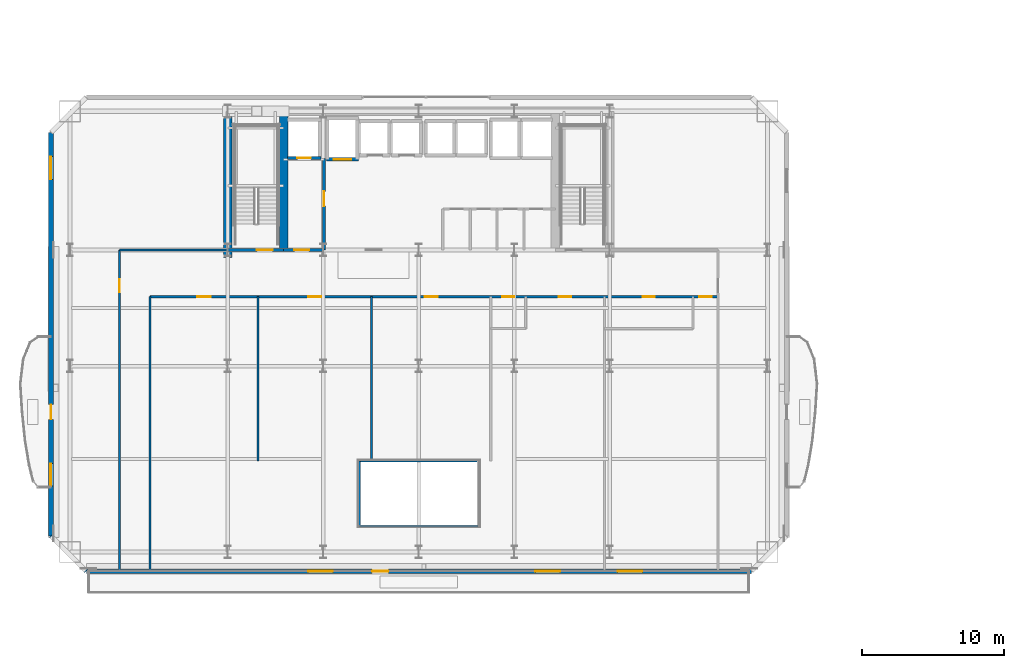
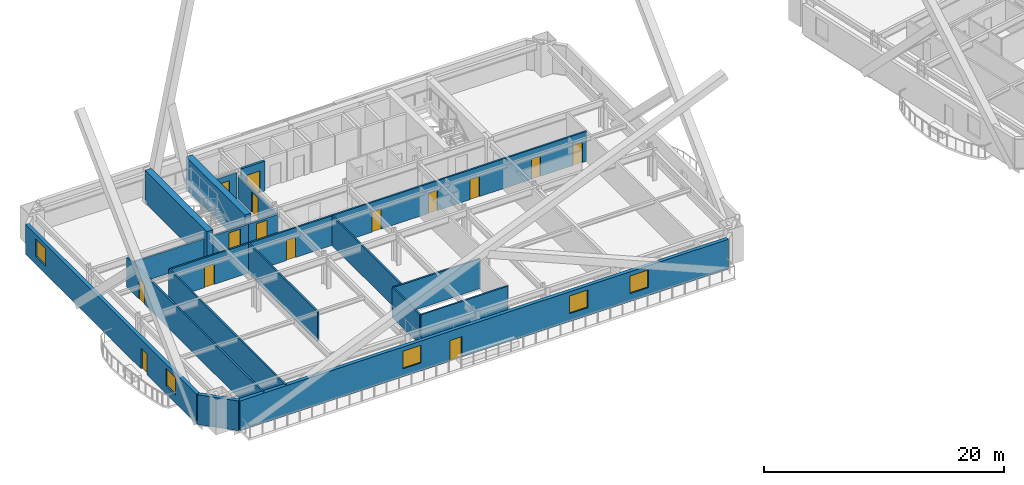
# One storey, part 11 of 25: 19 walls, 15 doors, 5 windows, 20 openings.
"""IFC4 building model written with IfcOpenShell, lengths in metres."""

from ifc_helpers import new_model, si_unit, direction, frame, frame_2d, origin, place, context, subcontext, project, spatial, rectangle, extrude, material, layer, layer_set, type_object, element, fill, save


model = new_model("IFC4")

# Units and contexts
model_context = context("Model", 3, precision=1e-05, world=origin(), true_north=direction((0.0, 1.0)))
body_context = subcontext(model_context, "Body", "Model", "MODEL_VIEW")
ifc_project = project(units=[si_unit("LENGTHUNIT", "METRE"), si_unit("AREAUNIT", "SQUARE_METRE"), si_unit("VOLUMEUNIT", "CUBIC_METRE"), si_unit("PLANEANGLEUNIT", "RADIAN"), si_unit("MASSUNIT", "GRAM", prefix="KILO")], contexts=[model_context])

# Site, building, storey
site_placement = place(None, origin())
site = spatial("IfcSite", under=ifc_project, at=site_placement, CompositionType="ELEMENT")
building_placement = place(site_placement, origin())
building = spatial("IfcBuilding", under=site, at=building_placement, Name="Haevon Station Towers", CompositionType="ELEMENT")
storey_placement = place(building_placement, frame((0.0, 0.0, 50.39990234375)))
storey = spatial("IfcBuildingStorey", under=building, at=storey_placement, Name="L12", CompositionType="ELEMENT", Elevation=50.39990234375)

# Wall, opening, door
ifc_material_1 = material(Name="Gypsum board on steel stud", Category="steel")
ifc_layer_1 = layer(ifc_material_1, 0.199951171875)
ifc_layer_set_1 = layer_set([ifc_layer_1], Name="Gypsum board on steel stud")
wall_type_1 = type_object("IfcWallType", Name="WL-COR200", PredefinedType="PARTITIONING", material=ifc_layer_set_1)
wall_1_placement = place(storey_placement, frame((24.0, 38.199951171875, 0.0), z_axis=(0.0, 0.0, 1.0), x_axis=(1.0, 0.0, 0.0)))
wall_1 = element("IfcWall", 1, at=wall_1_placement, inside=storey, type_object=wall_type_1, Name="WL-ST-ST1-L12", PredefinedType="PARTITIONING", context=body_context, shape_type="SweptSolid", body=[
    extrude(rectangle(XDim=3.949951171875, YDim=0.199951171875, at=frame_2d((1.97509765625, 0.0))), origin(), (0.0, 0.0, 1.0), 2.330078125),
])
opening_1_placement = place(wall_1_placement, frame((2.050048828125, 0.0, 0.0)))
opening_1 = element("IfcOpeningElement", 2, at=opening_1_placement, cuts=wall_1, Name="Opening DR-ST-ST1-L12", PredefinedType="OPENING", context=body_context, shape_type="SweptSolid", body=[
    extrude(rectangle(XDim=1.1201171875, YDim=2.10009765625, at=frame_2d((0.56005859375, 1.050048828125))), frame((0.0, 0.10986328125, 0.0), z_axis=(0.0, -1.0, 0.0), x_axis=(1.0, 0.0, 0.0)), (0.0, 0.0, 1.0), 0.219970703125),
])
ifc_material_2 = material(Name="Engineered oak timber", Category="wood")
door_type_1 = type_object("IfcDoorType", Name="DR-ST-1120", OperationType="NOTDEFINED", PredefinedType="DOOR", material=ifc_material_2)
door_1_placement = place(opening_1_placement, origin())
door_1 = element("IfcDoor", 3, at=door_1_placement, inside=storey, type_object=door_type_1, Name="L12 Escape Stair ST1 Fire Door", OperationType="SINGLE_SWING_RIGHT", OverallHeight=2.10009765625, OverallWidth=1.1201171875, PredefinedType="DOOR", context=body_context, shape_type="SweptSolid", body=[
    extrude(rectangle(XDim=1.1201171875, YDim=2.10009765625, at=frame_2d((0.56005859375, 1.050048828125))), frame((0.0, 0.02490234375, 0.0), z_axis=(0.0, -1.0, 0.0), x_axis=(1.0, 0.0, 0.0)), (0.0, 0.0, 1.0), 0.050048828125),
])
fill(opening_1, door_1)

wall_2_placement = place(storey_placement, frame((30.800048828125, 38.199951171875, 0.0), z_axis=(0.0, 0.0, 1.0), x_axis=(0.0, 1.0, 0.0)))
wall_2 = element("IfcWall", 4, at=wall_2_placement, inside=storey, type_object=wall_type_1, Name="WL-T1FFL-L12-E", PredefinedType="PARTITIONING", context=body_context, shape_type="SweptSolid", body=[
    extrude(rectangle(XDim=6.449951171875, YDim=0.199951171875, at=frame_2d((3.22509765625, 0.0))), origin(), (0.0, 0.0, 1.0), 2.330078125),
])
opening_2_placement = place(wall_2_placement, frame((3.10009765625, 0.0, 0.0)))
opening_2 = element("IfcOpeningElement", 5, at=opening_2_placement, cuts=wall_2, Name="Opening DR-T1FFL-L12-E", PredefinedType="OPENING", context=body_context, shape_type="SweptSolid", body=[
    extrude(rectangle(XDim=1.050048828125, YDim=2.10009765625, at=frame_2d((0.52490234375, 1.050048828125))), frame((0.0, 0.10986328125, 0.0), z_axis=(0.0, -1.0, 0.0), x_axis=(1.0, 0.0, 0.0)), (0.0, 0.0, 1.0), 0.219970703125),
])
door_type_2 = type_object("IfcDoorType", Name="DR-FD60-1050", OperationType="NOTDEFINED", PredefinedType="DOOR", material=ifc_material_2)
door_2_placement = place(opening_2_placement, origin())
door_2 = element("IfcDoor", 6, at=door_2_placement, inside=storey, type_object=door_type_2, Name="L12 Tower 1 Firefighting Lift Lobby Door E", OperationType="SINGLE_SWING_RIGHT", OverallHeight=2.10009765625, OverallWidth=1.050048828125, PredefinedType="DOOR", context=body_context, shape_type="SweptSolid", body=[
    extrude(rectangle(XDim=1.050048828125, YDim=2.10009765625, at=frame_2d((0.52490234375, 1.050048828125))), frame((0.0, 0.02490234375, 0.0), z_axis=(0.0, -1.0, 0.0), x_axis=(1.0, 0.0, 0.0)), (0.0, 0.0, 1.0), 0.050048828125),
])
fill(opening_2, door_2)

wall_3_placement = place(storey_placement, frame((27.949951171875, 38.199951171875, 0.0), z_axis=(0.0, 0.0, 1.0), x_axis=(1.0, 0.0, 0.0)))
wall_3 = element("IfcWall", 7, at=wall_3_placement, inside=storey, type_object=wall_type_1, Name="WL-T1FFL-L12-S", PredefinedType="PARTITIONING", context=body_context, shape_type="SweptSolid", body=[
    extrude(rectangle(XDim=2.85009765625, YDim=0.199951171875, at=frame_2d((1.425048828125, 0.0))), origin(), (0.0, 0.0, 1.0), 2.330078125),
])
opening_3_placement = place(wall_3_placement, frame((0.75, 0.0, 0.0)))
opening_3 = element("IfcOpeningElement", 8, at=opening_3_placement, cuts=wall_3, Name="Opening DR-T1FFL-L12-S", PredefinedType="OPENING", context=body_context, shape_type="SweptSolid", body=[
    extrude(rectangle(XDim=1.050048828125, YDim=2.10009765625, at=frame_2d((0.52490234375, 1.050048828125))), frame((0.0, 0.10986328125, 0.0), z_axis=(0.0, -1.0, 0.0), x_axis=(1.0, 0.0, 0.0)), (0.0, 0.0, 1.0), 0.219970703125),
])
door_3_placement = place(opening_3_placement, origin())
door_3 = element("IfcDoor", 9, at=door_3_placement, inside=storey, type_object=door_type_2, Name="L12 Tower 1 Firefighting Lift Lobby Door S", OperationType="SINGLE_SWING_LEFT", OverallHeight=2.10009765625, OverallWidth=1.050048828125, PredefinedType="DOOR", context=body_context, shape_type="SweptSolid", body=[
    extrude(rectangle(XDim=1.050048828125, YDim=2.10009765625, at=frame_2d((0.52490234375, 1.050048828125))), frame((0.0, 0.02490234375, 0.0), z_axis=(0.0, -1.0, 0.0), x_axis=(1.0, 0.0, 0.0)), (0.0, 0.0, 1.0), 0.050048828125),
])
fill(opening_3, door_3)

# Walls
ifc_material_3 = material(Name="Concrete C60/75", Category="concrete")
ifc_layer_2 = layer(ifc_material_3, 0.60009765625)
ifc_layer_set_2 = layer_set([ifc_layer_2], Name="Concrete C60/75")
wall_type_2 = type_object("IfcWallType", Name="WL-CR600", PredefinedType="SHEAR", material=ifc_layer_set_2)
wall_4_placement = place(storey_placement, frame((24.0, 37.679931640625, 0.0), z_axis=(0.0, 0.0, 1.0), x_axis=(0.0, 1.0, 0.0)))
element("IfcWall", 10, at=wall_4_placement, inside=storey, type_object=wall_type_2, Name="WL-T1CR-L12-W", PredefinedType="SHEAR", context=body_context, shape_type="SweptSolid", body=[
    extrude(rectangle(XDim=10.320068359375, YDim=0.60009765625, at=frame_2d((5.16015625, 0.0))), origin(), (0.0, 0.0, 1.0), 3.300048828125),
])
wall_5_placement = place(storey_placement, frame((27.949951171875, 38.199951171875, 0.0), z_axis=(0.0, 0.0, 1.0), x_axis=(0.0, 1.0, 0.0)))
element("IfcWall", 11, at=wall_5_placement, inside=storey, type_object=wall_type_2, Name="WL-T1CR-L12-M1", PredefinedType="SHEAR", context=body_context, shape_type="SweptSolid", body=[
    extrude(rectangle(XDim=9.800048828125, YDim=0.60009765625, at=frame_2d((4.89990234375, 0.0))), origin(), (0.0, 0.0, 1.0), 3.300048828125),
])

# Wall, openings, door, windows
ifc_material_4 = material(Name="Precast concrete C45/55", Category="concrete")
ifc_layer_3 = layer(ifc_material_4, 0.340087890625)
ifc_layer_set_3 = layer_set([ifc_layer_3], Name="Precast concrete C45/55")
wall_type_3 = type_object("IfcWallType", Name="WL-EXT-PIER340", PredefinedType="SOLIDWALL", material=ifc_layer_set_3)
wall_6_placement = place(storey_placement, frame((61.0, 15.5, 0.0), z_axis=(0.0, 0.0, 1.0), x_axis=(-1.0, 0.0, 0.0)))
wall_6 = element("IfcWall", 12, at=wall_6_placement, inside=storey, type_object=wall_type_3, Name="WL-T1-L12-S", PredefinedType="SOLIDWALL", context=body_context, shape_type="SweptSolid", body=[
    extrude(rectangle(XDim=47.0, YDim=0.340087890625, at=frame_2d((23.5, 0.0))), origin(), (0.0, 0.0, 1.0), 3.030029296875),
])
opening_4_placement = place(wall_6_placement, frame((25.65380859375, 0.0, 0.0)))
opening_4 = element("IfcOpeningElement", 13, at=opening_4_placement, cuts=wall_6, Name="Opening DR-T1-SKYG-L12", PredefinedType="OPENING", context=body_context, shape_type="SweptSolid", body=[
    extrude(rectangle(XDim=1.14990234375, YDim=2.10009765625, at=frame_2d((0.574951171875, 1.050048828125))), frame((0.0, 0.179931640625, 0.0), z_axis=(0.0, -1.0, 0.0), x_axis=(1.0, 0.0, 0.0)), (0.0, 0.0, 1.0), 0.360107421875),
])
opening_5_placement = place(wall_6_placement, frame((29.580078125, 0.0, 0.800048828125)))
opening_5 = element("IfcOpeningElement", 14, at=opening_5_placement, cuts=wall_6, Name="Opening WN-P175", PredefinedType="OPENING", context=body_context, shape_type="SweptSolid", body=[
    extrude(rectangle(XDim=1.75, YDim=1.800048828125, at=frame_2d((0.875, 0.89990234375))), frame((0.0, 0.179931640625, 0.0), z_axis=(0.0, -1.0, 0.0), x_axis=(1.0, 0.0, 0.0)), (0.0, 0.0, 1.0), 0.360107421875),
])
opening_6_placement = place(wall_6_placement, frame((13.52001953125, 0.0, 0.800048828125)))
opening_6 = element("IfcOpeningElement", 15, at=opening_6_placement, cuts=wall_6, Name="Opening WN-P175", PredefinedType="OPENING", context=body_context, shape_type="SweptSolid", body=[
    extrude(rectangle(XDim=1.75, YDim=1.800048828125, at=frame_2d((0.875, 0.89990234375))), frame((0.0, 0.179931640625, 0.0), z_axis=(0.0, -1.0, 0.0), x_axis=(1.0, 0.0, 0.0)), (0.0, 0.0, 1.0), 0.360107421875),
])
opening_7_placement = place(wall_6_placement, frame((7.697998046875, 0.0, 0.800048828125)))
opening_7 = element("IfcOpeningElement", 16, at=opening_7_placement, cuts=wall_6, Name="Opening WN-P175", PredefinedType="OPENING", context=body_context, shape_type="SweptSolid", body=[
    extrude(rectangle(XDim=1.75, YDim=1.800048828125, at=frame_2d((0.875, 0.89990234375))), frame((0.0, 0.179931640625, 0.0), z_axis=(0.0, -1.0, 0.0), x_axis=(1.0, 0.0, 0.0)), (0.0, 0.0, 1.0), 0.360107421875),
])
ifc_material_5 = material(Name="Thermally broken anodised aluminium and laminated safety glass", Category="aluminium")
door_type_3 = type_object("IfcDoorType", Name="DR-BALC-1150", OperationType="NOTDEFINED", PredefinedType="DOOR", material=ifc_material_5)
door_4_placement = place(opening_4_placement, origin())
door_4 = element("IfcDoor", 17, at=door_4_placement, inside=storey, type_object=door_type_3, Name="Tower 1 L12 Sky Garden Terrace Door", OperationType="SINGLE_SWING_LEFT", OverallHeight=2.10009765625, OverallWidth=1.14990234375, PredefinedType="DOOR", context=body_context, shape_type="SweptSolid", body=[
    extrude(rectangle(XDim=1.14990234375, YDim=2.10009765625, at=frame_2d((0.574951171875, 1.050048828125))), frame((0.0, 0.02490234375, 0.0), z_axis=(0.0, -1.0, 0.0), x_axis=(1.0, 0.0, 0.0)), (0.0, 0.0, 1.0), 0.050048828125),
])
fill(opening_4, door_4)
ifc_material_6 = material(Name="Low-E triple glazing in thermally broken aluminium", Category="aluminium")
window_type_1 = type_object("IfcWindowType", Name="WN-P175", PartitioningType="SINGLE_PANEL", PredefinedType="WINDOW", material=ifc_material_6)
window_1_placement = place(opening_5_placement, origin())
window_1 = element("IfcWindow", 18, at=window_1_placement, inside=storey, type_object=window_type_1, Name="WN-T1-L12-S01", OverallHeight=1.800048828125, OverallWidth=1.75, PartitioningType="SINGLE_PANEL", PredefinedType="WINDOW", context=body_context, shape_type="SweptSolid", body=[
    extrude(rectangle(XDim=1.75, YDim=1.800048828125, at=frame_2d((0.875, 0.89990234375))), frame((0.0, 0.030029296875, 0.0), z_axis=(0.0, -1.0, 0.0), x_axis=(1.0, 0.0, 0.0)), (0.0, 0.0, 1.0), 0.06005859375),
])
fill(opening_5, window_1)
window_2_placement = place(opening_6_placement, origin())
window_2 = element("IfcWindow", 19, at=window_2_placement, inside=storey, type_object=window_type_1, Name="WN-T1-L12-S02", OverallHeight=1.800048828125, OverallWidth=1.75, PartitioningType="SINGLE_PANEL", PredefinedType="WINDOW", context=body_context, shape_type="SweptSolid", body=[
    extrude(rectangle(XDim=1.75, YDim=1.800048828125, at=frame_2d((0.875, 0.89990234375))), frame((0.0, 0.030029296875, 0.0), z_axis=(0.0, -1.0, 0.0), x_axis=(1.0, 0.0, 0.0)), (0.0, 0.0, 1.0), 0.06005859375),
])
fill(opening_6, window_2)
window_3_placement = place(opening_7_placement, origin())
window_3 = element("IfcWindow", 20, at=window_3_placement, inside=storey, type_object=window_type_1, Name="WN-T1-L12-S03", OverallHeight=1.800048828125, OverallWidth=1.75, PartitioningType="SINGLE_PANEL", PredefinedType="WINDOW", context=body_context, shape_type="SweptSolid", body=[
    extrude(rectangle(XDim=1.75, YDim=1.800048828125, at=frame_2d((0.875, 0.89990234375))), frame((0.0, 0.030029296875, 0.0), z_axis=(0.0, -1.0, 0.0), x_axis=(1.0, 0.0, 0.0)), (0.0, 0.0, 1.0), 0.06005859375),
])
fill(opening_7, window_3)

# Wall
wall_7_placement = place(storey_placement, frame((14.0, 15.5, 0.0), z_axis=(0.0, 0.0, 1.0), x_axis=(-0.707106781187, 0.707106781187, 0.0)))
element("IfcWall", 21, at=wall_7_placement, inside=storey, type_object=wall_type_3, Name="WL-T1-L12-SWC", PredefinedType="SOLIDWALL", context=body_context, shape_type="SweptSolid", body=[
    extrude(rectangle(XDim=3.53564453125, YDim=0.340087890625, at=frame_2d((1.767822265625, 0.0))), origin(), (0.0, 0.0, 1.0), 3.030029296875),
])

# Wall, openings, door, windows
wall_8_placement = place(storey_placement, frame((11.5, 18.0, 0.0), z_axis=(0.0, 0.0, 1.0), x_axis=(0.0, 1.0, 0.0)))
wall_8 = element("IfcWall", 22, at=wall_8_placement, inside=storey, type_object=wall_type_3, Name="WL-T1-L12-W", PredefinedType="SOLIDWALL", context=body_context, shape_type="SweptSolid", body=[
    extrude(rectangle(XDim=28.5, YDim=0.340087890625, at=frame_2d((14.25, 0.0))), origin(), (0.0, 0.0, 1.0), 3.030029296875),
])
opening_8_placement = place(wall_8_placement, frame((8.22509765625, 0.0, 0.0)))
opening_8 = element("IfcOpeningElement", 23, at=opening_8_placement, cuts=wall_8, Name="Opening DR-T1-SCAL-L12-W", PredefinedType="OPENING", context=body_context, shape_type="SweptSolid", body=[
    extrude(rectangle(XDim=1.050048828125, YDim=2.10009765625, at=frame_2d((0.52490234375, 1.050048828125))), frame((0.0, 0.179931640625, 0.0), z_axis=(0.0, -1.0, 0.0), x_axis=(1.0, 0.0, 0.0)), (0.0, 0.0, 1.0), 0.360107421875),
])
opening_9_placement = place(wall_8_placement, frame((3.5107421875, 0.0, 0.800048828125)))
opening_9 = element("IfcOpeningElement", 24, at=opening_9_placement, cuts=wall_8, Name="Opening WN-END160", PredefinedType="OPENING", context=body_context, shape_type="SweptSolid", body=[
    extrude(rectangle(XDim=1.60009765625, YDim=1.800048828125, at=frame_2d((0.800048828125, 0.89990234375))), frame((0.0, 0.179931640625, 0.0), z_axis=(0.0, -1.0, 0.0), x_axis=(1.0, 0.0, 0.0)), (0.0, 0.0, 1.0), 0.360107421875),
])
opening_10_placement = place(wall_8_placement, frame((25.1962890625, 0.0, 0.800048828125)))
opening_10 = element("IfcOpeningElement", 25, at=opening_10_placement, cuts=wall_8, Name="Opening WN-END160", PredefinedType="OPENING", context=body_context, shape_type="SweptSolid", body=[
    extrude(rectangle(XDim=1.60009765625, YDim=1.800048828125, at=frame_2d((0.800048828125, 0.89990234375))), frame((0.0, 0.179931640625, 0.0), z_axis=(0.0, -1.0, 0.0), x_axis=(1.0, 0.0, 0.0)), (0.0, 0.0, 1.0), 0.360107421875),
])
door_type_4 = type_object("IfcDoorType", Name="DR-BALC-1050", OperationType="NOTDEFINED", PredefinedType="DOOR", material=ifc_material_5)
door_5_placement = place(opening_8_placement, origin())
door_5 = element("IfcDoor", 26, at=door_5_placement, inside=storey, type_object=door_type_4, Name="Tower 1 L12 West Scalloped Balcony Door", OperationType="SINGLE_SWING_RIGHT", OverallHeight=2.10009765625, OverallWidth=1.050048828125, PredefinedType="DOOR", context=body_context, shape_type="SweptSolid", body=[
    extrude(rectangle(XDim=1.050048828125, YDim=2.10009765625, at=frame_2d((0.52490234375, 1.050048828125))), frame((0.0, 0.02490234375, 0.0), z_axis=(0.0, -1.0, 0.0), x_axis=(1.0, 0.0, 0.0)), (0.0, 0.0, 1.0), 0.050048828125),
])
fill(opening_8, door_5)
window_type_2 = type_object("IfcWindowType", Name="WN-END160", PartitioningType="SINGLE_PANEL", PredefinedType="WINDOW", material=ifc_material_6)
window_4_placement = place(opening_9_placement, origin())
window_4 = element("IfcWindow", 27, at=window_4_placement, inside=storey, type_object=window_type_2, Name="WN-T1-L12-W01", OverallHeight=1.800048828125, OverallWidth=1.60009765625, PartitioningType="SINGLE_PANEL", PredefinedType="WINDOW", context=body_context, shape_type="SweptSolid", body=[
    extrude(rectangle(XDim=1.60009765625, YDim=1.800048828125, at=frame_2d((0.800048828125, 0.89990234375))), frame((0.0, 0.030029296875, 0.0), z_axis=(0.0, -1.0, 0.0), x_axis=(1.0, 0.0, 0.0)), (0.0, 0.0, 1.0), 0.06005859375),
])
fill(opening_9, window_4)
window_5_placement = place(opening_10_placement, origin())
window_5 = element("IfcWindow", 28, at=window_5_placement, inside=storey, type_object=window_type_2, Name="WN-T1-L12-W02", OverallHeight=1.800048828125, OverallWidth=1.60009765625, PartitioningType="SINGLE_PANEL", PredefinedType="WINDOW", context=body_context, shape_type="SweptSolid", body=[
    extrude(rectangle(XDim=1.60009765625, YDim=1.800048828125, at=frame_2d((0.800048828125, 0.89990234375))), frame((0.0, 0.030029296875, 0.0), z_axis=(0.0, -1.0, 0.0), x_axis=(1.0, 0.0, 0.0)), (0.0, 0.0, 1.0), 0.06005859375),
])
fill(opening_10, window_5)

# Walls
ifc_layer_4 = layer(ifc_material_1, 0.159912109375)
ifc_layer_set_4 = layer_set([ifc_layer_4], Name="Gypsum board on steel stud")
wall_type_4 = type_object("IfcWallType", Name="WL-PRT160", PredefinedType="PARTITIONING", material=ifc_layer_set_4)
wall_9_placement = place(storey_placement, frame((18.5, 15.5, 0.0), z_axis=(0.0, 0.0, 1.0), x_axis=(0.0, 1.0, 0.0)))
element("IfcWall", 29, at=wall_9_placement, inside=storey, type_object=wall_type_4, Name="WL-T1PT-L12-01", PredefinedType="PARTITIONING", context=body_context, shape_type="SweptSolid", body=[
    extrude(rectangle(XDim=19.39990234375, YDim=0.159912109375, at=frame_2d((9.699951171875, 0.0))), origin(), (0.0, 0.0, 1.0), 3.030029296875),
])
wall_10_placement = place(storey_placement, frame((16.35009765625, 38.199951171875, 0.0), z_axis=(0.0, 0.0, 1.0), x_axis=(1.0, 0.0, 0.0)))
element("IfcWall", 30, at=wall_10_placement, inside=storey, type_object=wall_type_4, Name="WL-T1PT-L12-02", PredefinedType="PARTITIONING", context=body_context, shape_type="SweptSolid", body=[
    extrude(rectangle(XDim=7.64990234375, YDim=0.159912109375, at=frame_2d((3.824951171875, 0.0))), origin(), (0.0, 0.0, 1.0), 2.330078125),
])

# Wall, opening, door
wall_11_placement = place(storey_placement, frame((16.35009765625, 15.5, 0.0), z_axis=(0.0, 0.0, 1.0), x_axis=(0.0, 1.0, 0.0)))
wall_11 = element("IfcWall", 31, at=wall_11_placement, inside=storey, type_object=wall_type_4, Name="WL-T1PT-L12-04", PredefinedType="PARTITIONING", context=body_context, shape_type="SweptSolid", body=[
    extrude(rectangle(XDim=22.699951171875, YDim=0.159912109375, at=frame_2d((11.35009765625, 0.0))), origin(), (0.0, 0.0, 1.0), 3.030029296875),
])
opening_11_placement = place(wall_11_placement, frame((19.719970703125, 0.0, 0.0)))
opening_11 = element("IfcOpeningElement", 32, at=opening_11_placement, cuts=wall_11, Name="Opening DR-WL-T1PT-L12-04-01", PredefinedType="OPENING", context=body_context, shape_type="SweptSolid", body=[
    extrude(rectangle(XDim=0.89990234375, YDim=2.050048828125, at=frame_2d((0.449951171875, 1.02490234375))), frame((0.0, 0.08984375, 0.0), z_axis=(0.0, -1.0, 0.0), x_axis=(1.0, 0.0, 0.0)), (0.0, 0.0, 1.0), 0.179931640625),
])
door_type_5 = type_object("IfcDoorType", Name="DR-INT-900", OperationType="NOTDEFINED", PredefinedType="DOOR", material=ifc_material_2)
door_6_placement = place(opening_11_placement, origin())
door_6 = element("IfcDoor", 33, at=door_6_placement, inside=storey, type_object=door_type_5, Name="L12 Tower 1 Room Door 4-1", OperationType="SINGLE_SWING_RIGHT", OverallHeight=2.050048828125, OverallWidth=0.89990234375, PredefinedType="DOOR", context=body_context, shape_type="SweptSolid", body=[
    extrude(rectangle(XDim=0.89990234375, YDim=2.050048828125, at=frame_2d((0.449951171875, 1.02490234375))), frame((0.0, 0.02490234375, 0.0), z_axis=(0.0, -1.0, 0.0), x_axis=(1.0, 0.0, 0.0)), (0.0, 0.0, 1.0), 0.050048828125),
])
fill(opening_11, door_6)

# Walls
for number, where, z_axis, x_axis, name in (
    (34, (33.300048828125, 18.699951171875, 0.0), (0.0, 0.0, 1.0), (1.0, 0.0, 0.0), "WL-T1PT-L12-06"),
    (35, (33.300048828125, 23.300048828125, 0.0), (0.0, 0.0, 1.0), (1.0, 0.0, 0.0), "WL-T1PT-L12-07"),
):
    element("IfcWall", number, at=place(storey_placement, frame(where, z_axis=z_axis, x_axis=x_axis)), inside=storey, type_object=wall_type_4, Name=name, PredefinedType="PARTITIONING", context=body_context, shape_type="SweptSolid", body=[
        extrude(rectangle(XDim=8.39990234375, YDim=0.159912109375, at=frame_2d((4.199951171875, 0.0))), origin(), (0.0, 0.0, 1.0), 3.030029296875),
    ])
wall_12_placement = place(storey_placement, frame((33.300048828125, 18.699951171875, 0.0), z_axis=(0.0, 0.0, 1.0), x_axis=(0.0, 1.0, 0.0)))
element("IfcWall", 36, at=wall_12_placement, inside=storey, type_object=wall_type_4, Name="WL-T1PT-L12-08", PredefinedType="PARTITIONING", context=body_context, shape_type="SweptSolid", body=[
    extrude(rectangle(XDim=4.60009765625, YDim=0.159912109375, at=frame_2d((2.300048828125, 0.0))), origin(), (0.0, 0.0, 1.0), 3.030029296875),
])
for number, where, z_axis, x_axis, name in (
    (37, (26.12841796875, 23.300048828125, 0.0), (0.0, 0.0, 1.0), (0.0, 1.0, 0.0), "WL-T1PT-L12-10"),
    (38, (34.158447265625, 23.300048828125, 0.0), (0.0, 0.0, 1.0), (0.0, 1.0, 0.0), "WL-T1PT-L12-11"),
):
    element("IfcWall", number, at=place(storey_placement, frame(where, z_axis=z_axis, x_axis=x_axis)), inside=storey, type_object=wall_type_4, Name=name, PredefinedType="PARTITIONING", context=body_context, shape_type="SweptSolid", body=[
        extrude(rectangle(XDim=11.599853515625, YDim=0.159912109375, at=frame_2d((5.7998046875, 0.0))), origin(), (0.0, 0.0, 1.0), 3.030029296875),
    ])

# Wall, openings, doors
wall_13_placement = place(storey_placement, frame((18.5, 34.89990234375, 0.0), z_axis=(0.0, 0.0, 1.0), x_axis=(1.0, 0.0, 0.0)))
wall_13 = element("IfcWall", 39, at=wall_13_placement, inside=storey, type_object=wall_type_4, Name="WL-T1PT-L12-20", PredefinedType="PARTITIONING", context=body_context, shape_type="SweptSolid", body=[
    extrude(rectangle(XDim=40.14990234375, YDim=0.159912109375, at=frame_2d((20.074951171875, 0.0))), origin(), (0.0, 0.0, 1.0), 3.030029296875),
])
opening_12_placement = place(wall_13_placement, frame((3.339111328125, 0.0, 0.0)))
opening_12 = element("IfcOpeningElement", 40, at=opening_12_placement, cuts=wall_13, Name="Opening DR-WL-T1PT-L12-20-01", PredefinedType="OPENING", context=body_context, shape_type="SweptSolid", body=[
    extrude(rectangle(XDim=0.949951171875, YDim=2.10009765625, at=frame_2d((0.47509765625, 1.050048828125))), frame((0.0, 0.08984375, 0.0), z_axis=(0.0, -1.0, 0.0), x_axis=(1.0, 0.0, 0.0)), (0.0, 0.0, 1.0), 0.179931640625),
])
opening_13_placement = place(wall_13_placement, frame((11.193115234375, 0.0, 0.0)))
opening_13 = element("IfcOpeningElement", 41, at=opening_13_placement, cuts=wall_13, Name="Opening DR-WL-T1PT-L12-20-02", PredefinedType="OPENING", context=body_context, shape_type="SweptSolid", body=[
    extrude(rectangle(XDim=0.89990234375, YDim=2.050048828125, at=frame_2d((0.449951171875, 1.02490234375))), frame((0.0, 0.08984375, 0.0), z_axis=(0.0, -1.0, 0.0), x_axis=(1.0, 0.0, 0.0)), (0.0, 0.0, 1.0), 0.179931640625),
])
opening_14_placement = place(wall_13_placement, frame((19.424072265625, 0.0, 0.0)))
opening_14 = element("IfcOpeningElement", 42, at=opening_14_placement, cuts=wall_13, Name="Opening DR-WL-T1PT-L12-20-03", PredefinedType="OPENING", context=body_context, shape_type="SweptSolid", body=[
    extrude(rectangle(XDim=0.89990234375, YDim=2.050048828125, at=frame_2d((0.449951171875, 1.02490234375))), frame((0.0, 0.08984375, 0.0), z_axis=(0.0, -1.0, 0.0), x_axis=(1.0, 0.0, 0.0)), (0.0, 0.0, 1.0), 0.179931640625),
])
opening_15_placement = place(wall_13_placement, frame((24.889892578125, 0.0, 0.0)))
opening_15 = element("IfcOpeningElement", 43, at=opening_15_placement, cuts=wall_13, Name="Opening DR-WL-T1PT-L12-20-04", PredefinedType="OPENING", context=body_context, shape_type="SweptSolid", body=[
    extrude(rectangle(XDim=0.85009765625, YDim=2.050048828125, at=frame_2d((0.425048828125, 1.02490234375))), frame((0.0, 0.08984375, 0.0), z_axis=(0.0, -1.0, 0.0), x_axis=(1.0, 0.0, 0.0)), (0.0, 0.0, 1.0), 0.179931640625),
])
opening_16_placement = place(wall_13_placement, frame((28.8798828125, 0.0, 0.0)))
opening_16 = element("IfcOpeningElement", 44, at=opening_16_placement, cuts=wall_13, Name="Opening DR-WL-T1PT-L12-20-05", PredefinedType="OPENING", context=body_context, shape_type="SweptSolid", body=[
    extrude(rectangle(XDim=0.89990234375, YDim=2.050048828125, at=frame_2d((0.449951171875, 1.02490234375))), frame((0.0, 0.08984375, 0.0), z_axis=(0.0, -1.0, 0.0), x_axis=(1.0, 0.0, 0.0)), (0.0, 0.0, 1.0), 0.179931640625),
])
opening_17_placement = place(wall_13_placement, frame((34.820068359375, 0.0, 0.0)))
opening_17 = element("IfcOpeningElement", 45, at=opening_17_placement, cuts=wall_13, Name="Opening DR-WL-T1PT-L12-20-06", PredefinedType="OPENING", context=body_context, shape_type="SweptSolid", body=[
    extrude(rectangle(XDim=0.85009765625, YDim=2.050048828125, at=frame_2d((0.425048828125, 1.02490234375))), frame((0.0, 0.08984375, 0.0), z_axis=(0.0, -1.0, 0.0), x_axis=(1.0, 0.0, 0.0)), (0.0, 0.0, 1.0), 0.179931640625),
])
opening_18_placement = place(wall_13_placement, frame((38.81005859375, 0.0, 0.0)))
opening_18 = element("IfcOpeningElement", 46, at=opening_18_placement, cuts=wall_13, Name="Opening DR-WL-T1PT-L12-20-07", PredefinedType="OPENING", context=body_context, shape_type="SweptSolid", body=[
    extrude(rectangle(XDim=0.89990234375, YDim=2.050048828125, at=frame_2d((0.449951171875, 1.02490234375))), frame((0.0, 0.08984375, 0.0), z_axis=(0.0, -1.0, 0.0), x_axis=(1.0, 0.0, 0.0)), (0.0, 0.0, 1.0), 0.179931640625),
])
door_type_6 = type_object("IfcDoorType", Name="DR-FD30-850", OperationType="NOTDEFINED", PredefinedType="DOOR", material=ifc_material_2)
door_7_placement = place(opening_15_placement, origin())
door_7 = element("IfcDoor", 47, at=door_7_placement, inside=storey, type_object=door_type_6, Name="L12 Tower 1 Room Door 20-4", OperationType="SINGLE_SWING_LEFT", OverallHeight=2.050048828125, OverallWidth=0.85009765625, PredefinedType="DOOR", context=body_context, shape_type="SweptSolid", body=[
    extrude(rectangle(XDim=0.85009765625, YDim=2.050048828125, at=frame_2d((0.425048828125, 1.02490234375))), frame((0.0, 0.02490234375, 0.0), z_axis=(0.0, -1.0, 0.0), x_axis=(1.0, 0.0, 0.0)), (0.0, 0.0, 1.0), 0.050048828125),
])
fill(opening_15, door_7)
door_8_placement = place(opening_17_placement, origin())
door_8 = element("IfcDoor", 48, at=door_8_placement, inside=storey, type_object=door_type_6, Name="L12 Tower 1 Room Door 20-6", OperationType="SINGLE_SWING_LEFT", OverallHeight=2.050048828125, OverallWidth=0.85009765625, PredefinedType="DOOR", context=body_context, shape_type="SweptSolid", body=[
    extrude(rectangle(XDim=0.85009765625, YDim=2.050048828125, at=frame_2d((0.425048828125, 1.02490234375))), frame((0.0, 0.02490234375, 0.0), z_axis=(0.0, -1.0, 0.0), x_axis=(1.0, 0.0, 0.0)), (0.0, 0.0, 1.0), 0.050048828125),
])
fill(opening_17, door_8)
door_type_7 = type_object("IfcDoorType", Name="DR-FD30-950", OperationType="NOTDEFINED", PredefinedType="DOOR", material=ifc_material_2)
door_9_placement = place(opening_12_placement, origin())
door_9 = element("IfcDoor", 49, at=door_9_placement, inside=storey, type_object=door_type_7, Name="L12 Tower 1 Room Door 20-1", OperationType="SINGLE_SWING_RIGHT", OverallHeight=2.10009765625, OverallWidth=0.949951171875, PredefinedType="DOOR", context=body_context, shape_type="SweptSolid", body=[
    extrude(rectangle(XDim=0.949951171875, YDim=2.10009765625, at=frame_2d((0.47509765625, 1.050048828125))), frame((0.0, 0.02490234375, 0.0), z_axis=(0.0, -1.0, 0.0), x_axis=(1.0, 0.0, 0.0)), (0.0, 0.0, 1.0), 0.050048828125),
])
fill(opening_12, door_9)
door_10_placement = place(opening_13_placement, origin())
door_10 = element("IfcDoor", 50, at=door_10_placement, inside=storey, type_object=door_type_5, Name="L12 Tower 1 Room Door 20-2", OperationType="SINGLE_SWING_LEFT", OverallHeight=2.050048828125, OverallWidth=0.89990234375, PredefinedType="DOOR", context=body_context, shape_type="SweptSolid", body=[
    extrude(rectangle(XDim=0.89990234375, YDim=2.050048828125, at=frame_2d((0.449951171875, 1.02490234375))), frame((0.0, 0.02490234375, 0.0), z_axis=(0.0, -1.0, 0.0), x_axis=(1.0, 0.0, 0.0)), (0.0, 0.0, 1.0), 0.050048828125),
])
fill(opening_13, door_10)
door_11_placement = place(opening_14_placement, origin())
door_11 = element("IfcDoor", 51, at=door_11_placement, inside=storey, type_object=door_type_5, Name="L12 Tower 1 Room Door 20-3", OperationType="SINGLE_SWING_RIGHT", OverallHeight=2.050048828125, OverallWidth=0.89990234375, PredefinedType="DOOR", context=body_context, shape_type="SweptSolid", body=[
    extrude(rectangle(XDim=0.89990234375, YDim=2.050048828125, at=frame_2d((0.449951171875, 1.02490234375))), frame((0.0, 0.02490234375, 0.0), z_axis=(0.0, -1.0, 0.0), x_axis=(1.0, 0.0, 0.0)), (0.0, 0.0, 1.0), 0.050048828125),
])
fill(opening_14, door_11)
door_12_placement = place(opening_16_placement, origin())
door_12 = element("IfcDoor", 52, at=door_12_placement, inside=storey, type_object=door_type_5, Name="L12 Tower 1 Room Door 20-5", OperationType="SINGLE_SWING_RIGHT", OverallHeight=2.050048828125, OverallWidth=0.89990234375, PredefinedType="DOOR", context=body_context, shape_type="SweptSolid", body=[
    extrude(rectangle(XDim=0.89990234375, YDim=2.050048828125, at=frame_2d((0.449951171875, 1.02490234375))), frame((0.0, 0.02490234375, 0.0), z_axis=(0.0, -1.0, 0.0), x_axis=(1.0, 0.0, 0.0)), (0.0, 0.0, 1.0), 0.050048828125),
])
fill(opening_16, door_12)
door_13_placement = place(opening_18_placement, origin())
door_13 = element("IfcDoor", 53, at=door_13_placement, inside=storey, type_object=door_type_5, Name="L12 Tower 1 Room Door 20-7", OperationType="SINGLE_SWING_RIGHT", OverallHeight=2.050048828125, OverallWidth=0.89990234375, PredefinedType="DOOR", context=body_context, shape_type="SweptSolid", body=[
    extrude(rectangle(XDim=0.89990234375, YDim=2.050048828125, at=frame_2d((0.449951171875, 1.02490234375))), frame((0.0, 0.02490234375, 0.0), z_axis=(0.0, -1.0, 0.0), x_axis=(1.0, 0.0, 0.0)), (0.0, 0.0, 1.0), 0.050048828125),
])
fill(opening_18, door_13)

# Wall, opening, door
ifc_material_7 = material(Name="Concrete C40/50", Category="concrete")
ifc_layer_5 = layer(ifc_material_7, 0.239990234375)
ifc_layer_set_5 = layer_set([ifc_layer_5], Name="Concrete C40/50")
wall_type_5 = type_object("IfcWallType", Name="WL-SHF240", PredefinedType="PARTITIONING", material=ifc_layer_set_5)
wall_14_placement = place(storey_placement, frame((28.219970703125, 44.699951171875, 0.0), z_axis=(0.0, 0.0, 1.0), x_axis=(1.0, 0.0, 0.0)))
wall_14 = element("IfcWall", 54, at=wall_14_placement, inside=storey, type_object=wall_type_5, Name="WL-SHF-FL1-L12", PredefinedType="PARTITIONING", context=body_context, shape_type="SweptSolid", body=[
    extrude(rectangle(XDim=2.360107421875, YDim=0.239990234375, at=frame_2d((1.18017578125, 0.0))), origin(), (0.0, 0.0, 1.0), 2.72998046875),
])
opening_19_placement = place(wall_14_placement, frame((0.705078125, 0.0, 0.0)))
opening_19 = element("IfcOpeningElement", 55, at=opening_19_placement, cuts=wall_14, Name="Opening LD-FL1-L12", PredefinedType="OPENING", context=body_context, shape_type="SweptSolid", body=[
    extrude(rectangle(XDim=0.949951171875, YDim=2.14990234375, at=frame_2d((0.47509765625, 1.074951171875))), frame((0.0, 0.1298828125, 0.0), z_axis=(0.0, -1.0, 0.0), x_axis=(1.0, 0.0, 0.0)), (0.0, 0.0, 1.0), 0.260009765625),
])
ifc_material_8 = material(Name="Stainless steel and rated core", Category="steel")
door_type_8 = type_object("IfcDoorType", Name="LD-FL950", OperationType="SLIDING_TO_LEFT", PredefinedType="DOOR", material=ifc_material_8)
door_14_placement = place(opening_19_placement, origin())
door_14 = element("IfcDoor", 56, at=door_14_placement, inside=storey, type_object=door_type_8, Name="L12 Lift FL1 Sliding Landing Door", OperationType="SLIDING_TO_LEFT", OverallHeight=2.14990234375, OverallWidth=0.949951171875, PredefinedType="DOOR", context=body_context, shape_type="SweptSolid", body=[
    extrude(rectangle(XDim=0.949951171875, YDim=2.14990234375, at=frame_2d((0.47509765625, 1.074951171875))), frame((0.0, 0.02490234375, 0.0), z_axis=(0.0, -1.0, 0.0), x_axis=(1.0, 0.0, 0.0)), (0.0, 0.0, 1.0), 0.050048828125),
])
fill(opening_19, door_14)

wall_15_placement = place(storey_placement, frame((30.969970703125, 44.60009765625, 0.0), z_axis=(0.0, 0.0, 1.0), x_axis=(1.0, 0.0, 0.0)))
wall_15 = element("IfcWall", 57, at=wall_15_placement, inside=storey, type_object=wall_type_5, Name="WL-SHF-SL1-L12", PredefinedType="PARTITIONING", context=body_context, shape_type="SweptSolid", body=[
    extrude(rectangle(XDim=2.260009765625, YDim=0.239990234375, at=frame_2d((1.1298828125, 0.0))), origin(), (0.0, 0.0, 1.0), 3.030029296875),
])
opening_20_placement = place(wall_15_placement, frame((0.5048828125, 0.0, 0.0)))
opening_20 = element("IfcOpeningElement", 58, at=opening_20_placement, cuts=wall_15, Name="Opening LD-SL1-L12", PredefinedType="OPENING", context=body_context, shape_type="SweptSolid", body=[
    extrude(rectangle(XDim=1.25, YDim=2.199951171875, at=frame_2d((0.625, 1.10009765625))), frame((0.0, 0.1298828125, 0.0), z_axis=(0.0, -1.0, 0.0), x_axis=(1.0, 0.0, 0.0)), (0.0, 0.0, 1.0), 0.260009765625),
])
door_type_9 = type_object("IfcDoorType", Name="LD-SL1250", OperationType="SLIDING_TO_LEFT", PredefinedType="DOOR", material=ifc_material_8)
door_15_placement = place(opening_20_placement, origin())
door_15 = element("IfcDoor", 59, at=door_15_placement, inside=storey, type_object=door_type_9, Name="L12 Lift SL1 Sliding Landing Door", OperationType="SLIDING_TO_LEFT", OverallHeight=2.199951171875, OverallWidth=1.25, PredefinedType="DOOR", context=body_context, shape_type="SweptSolid", body=[
    extrude(rectangle(XDim=1.25, YDim=2.199951171875, at=frame_2d((0.625, 1.10009765625))), frame((0.0, 0.02490234375, 0.0), z_axis=(0.0, -1.0, 0.0), x_axis=(1.0, 0.0, 0.0)), (0.0, 0.0, 1.0), 0.050048828125),
])
fill(opening_20, door_15)

save(model, "model.ifc")
